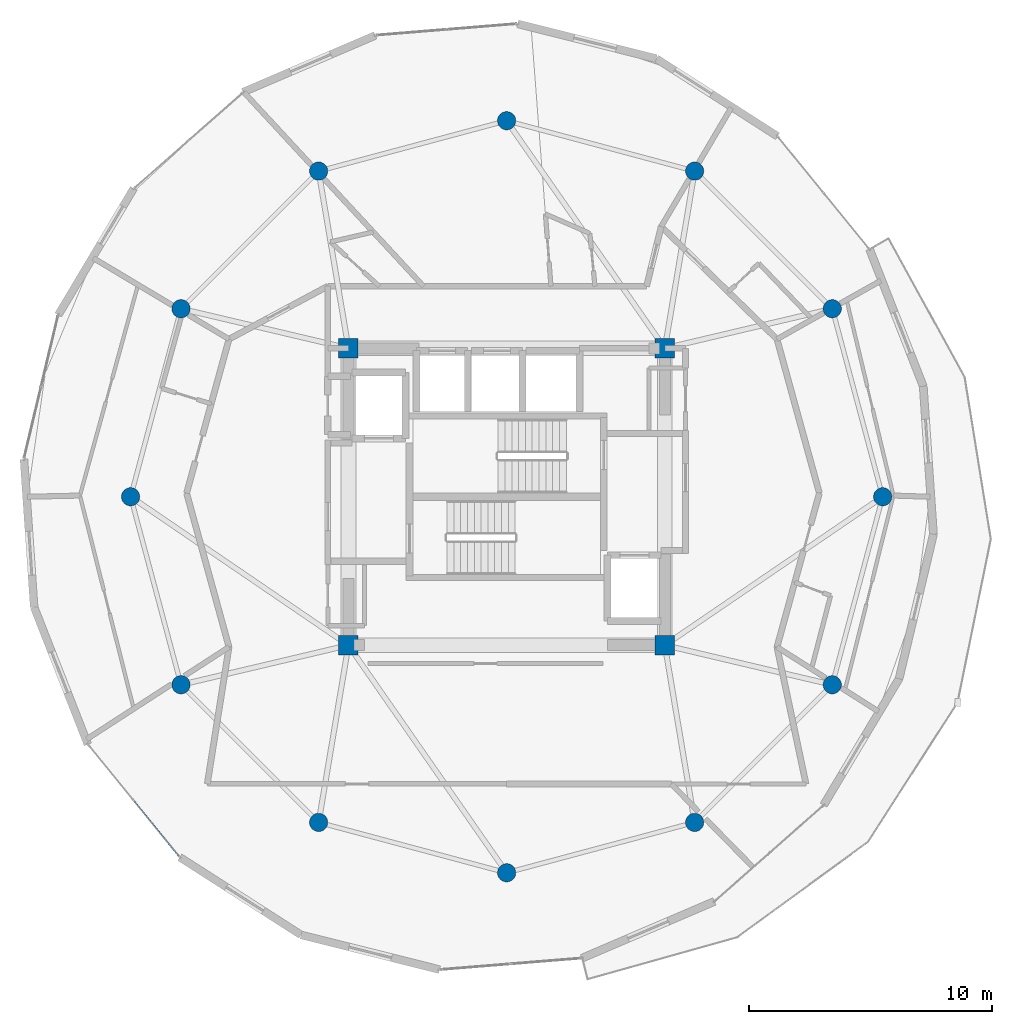
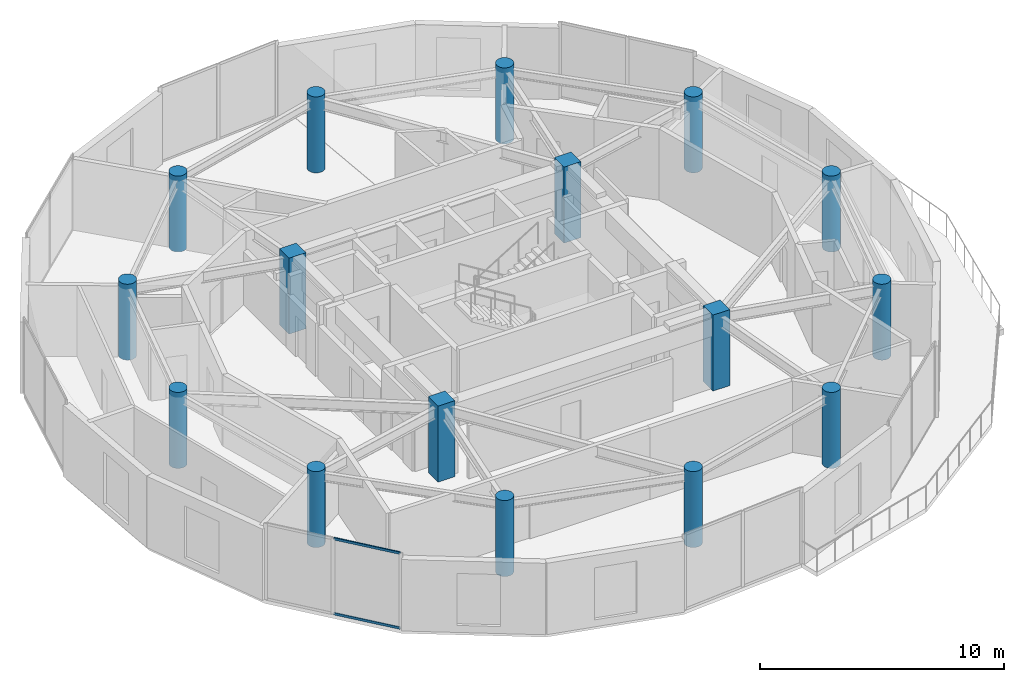
# One storey, part 1 of 22: 16 columns, 2 members, 1 element without a shape of its own.
"""IFC4 building model written with IfcOpenShell, lengths in metres."""

from ifc_helpers import new_model, si_unit, direction, frame, origin, origin_2d, place, context, subcontext, project, spatial, rectangle, hollow_rectangle, circle, extrude, source, transform, mapped, material, layer, layer_set, material_profile, profile_set, type_object, element, aggregate, save


model = new_model("IFC4")

# Units and contexts
model_context = context("Model", 3, precision=1e-05, world=origin(), true_north=direction((0.0, 1.0)))
body_context = subcontext(model_context, "Body", "Model", "MODEL_VIEW")
ifc_project = project(units=[si_unit("LENGTHUNIT", "METRE"), si_unit("AREAUNIT", "SQUARE_METRE"), si_unit("VOLUMEUNIT", "CUBIC_METRE"), si_unit("PLANEANGLEUNIT", "RADIAN"), si_unit("MASSUNIT", "GRAM", prefix="KILO")], contexts=[model_context])

# Site, building, storey
site_placement = place(None, origin())
site = spatial("IfcSite", under=ifc_project, at=site_placement, CompositionType="ELEMENT")
building_placement = place(site_placement, origin())
building = spatial("IfcBuilding", under=site, at=building_placement, Name="Solvirekh Grand Hotel", CompositionType="ELEMENT")
storey_placement = place(building_placement, frame((0.0, 0.0, 293.39990234375)))
storey = spatial("IfcBuildingStorey", under=building, at=storey_placement, Name="L76", CompositionType="ELEMENT", Elevation=293.39990234375)

# Columns
ifc_material_1 = material(Name="Concrete C50/60", Category="concrete")
ifc_material_profile_1 = material_profile(ifc_material_1, rectangle(XDim=0.800048828125, YDim=0.800048828125, at=origin_2d()), Name="RC 800X800")
ifc_profile_set_1 = profile_set([ifc_material_profile_1], Name="Concrete C50/60")
column_type_1 = type_object("IfcColumnType", Name="Col_Core_800", PredefinedType="COLUMN", material=ifc_profile_set_1)
for number, where, z_axis, x_axis, name in (
    (1, (-6.5, -6.10009765625, 0.0), (0.0, 0.0, 1.0), (1.0, 0.0, 0.0), "L76 core corner column CC1"),
    (2, (6.5, -6.10009765625, 0.0), (0.0, 0.0, 1.0), (1.0, 0.0, 0.0), "L76 core corner column CC2"),
    (3, (6.5, 6.10009765625, 0.0), (0.0, 0.0, 1.0), (1.0, 0.0, 0.0), "L76 core corner column CC3"),
    (4, (-6.5, 6.10009765625, 0.0), (0.0, 0.0, 1.0), (1.0, 0.0, 0.0), "L76 core corner column CC4"),
):
    element("IfcColumn", number, at=place(storey_placement, frame(where, z_axis=z_axis, x_axis=x_axis)), inside=storey, type_object=column_type_1, Name=name, PredefinedType="COLUMN", context=body_context, shape_type="SweptSolid", body=[
        extrude(rectangle(XDim=0.800048828125, YDim=0.800048828125, at=origin_2d()), origin(), (0.0, 0.0, 1.0), 3.800048828125),
    ])
ifc_material_profile_2 = material_profile(ifc_material_1, circle(Radius=0.375, at=origin_2d()), Name="RC CIRC D750")
ifc_profile_set_2 = profile_set([ifc_material_profile_2], Name="Concrete C50/60")
column_type_2 = type_object("IfcColumnType", Name="Col_Z4_D750", PredefinedType="COLUMN", material=ifc_profile_set_2)
for number, where, z_axis, x_axis, name in (
    (5, (15.449951171875, 0.0, 0.0), (0.0, 0.0, 1.0), (1.0, 0.0, 0.0), "L76 perimeter column P01"),
    (6, (13.3798828125, 7.72509765625, 0.0), (0.0, 0.0, 1.0), (1.0, 0.0, 0.0), "L76 perimeter column P02"),
    (7, (7.72509765625, 13.3798828125, 0.0), (0.0, 0.0, 1.0), (1.0, 0.0, 0.0), "L76 perimeter column P03"),
    (8, (0.0, 15.449951171875, 0.0), (0.0, 0.0, 1.0), (1.0, 0.0, 0.0), "L76 perimeter column P04"),
    (9, (-7.72509765625, 13.3798828125, 0.0), (0.0, 0.0, 1.0), (1.0, 0.0, 0.0), "L76 perimeter column P05"),
    (10, (-13.3798828125, 7.72509765625, 0.0), (0.0, 0.0, 1.0), (1.0, 0.0, 0.0), "L76 perimeter column P06"),
    (11, (-15.449951171875, 0.0, 0.0), (0.0, 0.0, 1.0), (1.0, 0.0, 0.0), "L76 perimeter column P07"),
    (12, (-13.3798828125, -7.72509765625, 0.0), (0.0, 0.0, 1.0), (1.0, 0.0, 0.0), "L76 perimeter column P08"),
    (13, (-7.72509765625, -13.3798828125, 0.0), (0.0, 0.0, 1.0), (1.0, 0.0, 0.0), "L76 perimeter column P09"),
    (14, (0.0, -15.449951171875, 0.0), (0.0, 0.0, 1.0), (1.0, 0.0, 0.0), "L76 perimeter column P10"),
    (15, (7.72509765625, -13.3798828125, 0.0), (0.0, 0.0, 1.0), (1.0, 0.0, 0.0), "L76 perimeter column P11"),
    (16, (13.3798828125, -7.72509765625, 0.0), (0.0, 0.0, 1.0), (1.0, 0.0, 0.0), "L76 perimeter column P12"),
):
    element("IfcColumn", number, at=place(storey_placement, frame(where, z_axis=z_axis, x_axis=x_axis)), inside=storey, type_object=column_type_2, Name=name, PredefinedType="COLUMN", context=body_context, shape_type="SweptSolid", body=[
        extrude(circle(Radius=0.375, at=origin_2d()), origin(), (0.0, 0.0, 1.0), 3.800048828125),
    ])

# Curtain wall, members
ifc_material_2 = material(Name="Anodized Bronze Aluminium 6063-T6", Category="aluminium")
ifc_layer = layer(ifc_material_2, 0.159912109375)
ifc_layer_set = layer_set([ifc_layer], Name="Anodized Bronze Aluminium 6063-T6")
curtain_wall_type = type_object("IfcCurtainWallType", Name="CW_Sys4_HighZoneFlushBronzeCW", PredefinedType="NOTDEFINED", material=ifc_layer_set)
curtain_wall_placement = place(storey_placement, origin())
curtain_wall = element("IfcCurtainWall", 17, at=curtain_wall_placement, inside=storey, type_object=curtain_wall_type, Name="L76 unitised bronze-glass curtain wall CW-L76-C18", PredefinedType="NOTDEFINED")
ifc_material_profile_3 = material_profile(ifc_material_2, hollow_rectangle(XDim=0.054931640625, YDim=0.1201171875, WallThickness=0.00390625, at=origin_2d()), Name="ALU RHS 120X55X4")
ifc_profile_set_3 = profile_set([ifc_material_profile_3], Name="Anodized Bronze Aluminium 6063-T6")
member_type = type_object("IfcMemberType", Name="CWTransom_Sys4", PredefinedType="USERDEFINED", material=ifc_profile_set_3)
shared_shape = source(origin(), body_context, "Body", "SweptSolid", [
    extrude(hollow_rectangle(XDim=0.054931640625, YDim=0.1201171875, WallThickness=0.00390625, at=origin_2d()), origin(), (0.0, 0.0, 1.0), 2.902099609375),
])
member_1_placement = place(storey_placement, frame((-15.302490234375, -12.518310546875, 0.027587890625), z_axis=(0.631463198088, -0.775405848225, 0.0), x_axis=(0.775405848225, 0.631463198088, 0.0)))
member_1 = element("IfcMember", 18, at=member_1_placement, type_object=member_type, Name="U04 transom 2.1", ObjectType="TRANSOM", PredefinedType="USERDEFINED", context=body_context, shape_type="MappedRepresentation", body=[
    mapped(shared_shape, transform((0.0, 0.0, 0.0), x_axis=(1.0, 0.0, 0.0), y_axis=(0.0, 1.0, 0.0), z_axis=(0.0, 0.0, 1.0), scale=1.0)),
])
member_2_placement = place(storey_placement, frame((-15.302490234375, -12.518310546875, 3.772705078125), z_axis=(0.631463198088, -0.775405848225, 0.0), x_axis=(0.775405848225, 0.631463198088, 0.0)))
member_2 = element("IfcMember", 19, at=member_2_placement, type_object=member_type, Name="U04 transom 2.2", ObjectType="TRANSOM", PredefinedType="USERDEFINED", context=body_context, shape_type="MappedRepresentation", body=[
    mapped(shared_shape, transform((0.0, 0.0, 0.0), x_axis=(1.0, 0.0, 0.0), y_axis=(0.0, 1.0, 0.0), z_axis=(0.0, 0.0, 1.0), scale=1.0)),
])
aggregate(curtain_wall, [member_1, member_2])

save(model, "model.ifc")
